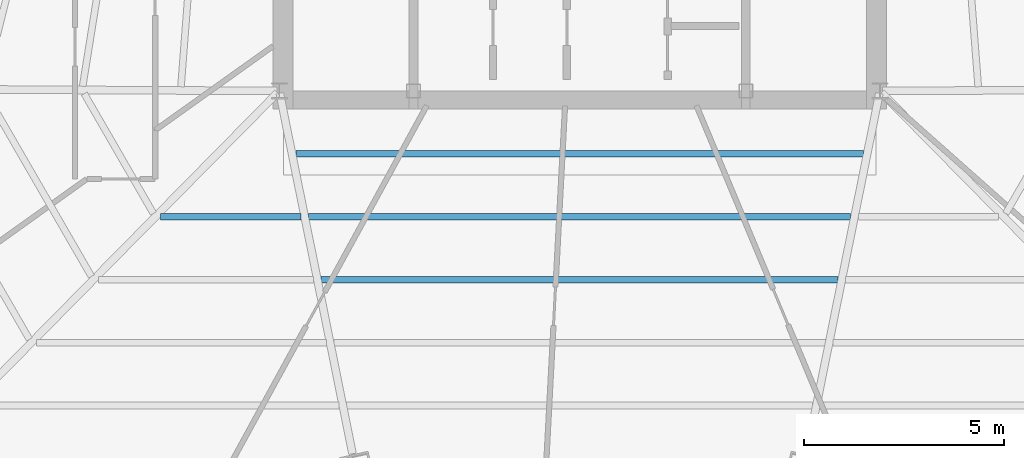
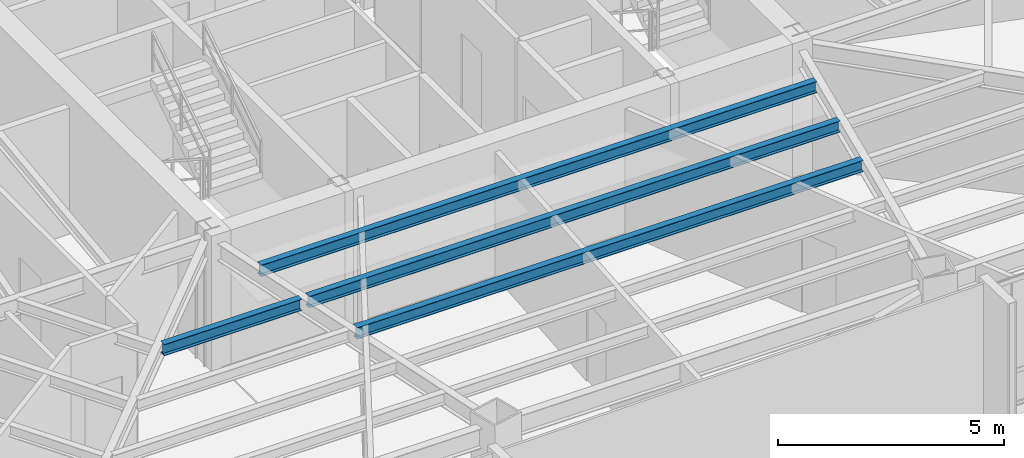
# One storey, part 12 of 42: 4 beams.
"""IFC4 building model written with IfcOpenShell, lengths in metres."""

from ifc_helpers import new_model, si_unit, direction, frame, origin, origin_2d, place, context, subcontext, project, spatial, i_section, extrude, source, transform, mapped, material, material_profile, profile_set, type_object, type_shapes, element, save


model = new_model("IFC4")

# Units and contexts
model_context = context("Model", 3, precision=1e-05, world=origin(), true_north=direction((0.0, 1.0)))
body_context = subcontext(model_context, "Body", "Model", "MODEL_VIEW")
ifc_project = project(units=[si_unit("LENGTHUNIT", "METRE"), si_unit("AREAUNIT", "SQUARE_METRE"), si_unit("VOLUMEUNIT", "CUBIC_METRE"), si_unit("PLANEANGLEUNIT", "RADIAN"), si_unit("MASSUNIT", "GRAM", prefix="KILO")], contexts=[model_context])

# Site, building, storey
site_placement = place(None, origin())
site = spatial("IfcSite", under=ifc_project, at=site_placement, CompositionType="ELEMENT")
building_placement = place(site_placement, origin())
building = spatial("IfcBuilding", under=site, at=building_placement, Name="Caelisora Broadcast Tower", CompositionType="ELEMENT")
storey_placement = place(building_placement, frame((0.0, 0.0, 184.050048828125)))
storey = spatial("IfcBuildingStorey", under=building, at=storey_placement, Name="L48", CompositionType="ELEMENT", Elevation=184.050048828125)

# Beams
ifc_material = material(Name="Steel Grade 350 (AS/NZS 3679.1)", Category="steel")
ifc_material_profile = material_profile(ifc_material, i_section(OverallWidth=0.166015625, OverallDepth=0.30712890625, WebThickness=0.006591796875, FlangeThickness=0.01171875, at=origin_2d()), Name="Steel Grade 350 (AS/NZS 3679.1)")
ifc_profile_set = profile_set([ifc_material_profile], Name="Steel Grade 350 (AS/NZS 3679.1)")
beam_type = type_object("IfcBeamType", Name="SB03", PredefinedType="JOIST", material=ifc_profile_set)
shared_shape_1 = source(origin(), body_context, "Body", "SweptSolid", [
    extrude(i_section(OverallWidth=0.166015625, OverallDepth=0.30712890625, WebThickness=0.006591796875, FlangeThickness=0.01171875, at=origin_2d()), origin(), (0.0, 0.0, 1.0), 3.50537109375),
])
beam_1_placement = place(storey_placement, frame((27.534912109375, 14.257080078125, 3.246337890625), z_axis=(1.0, 0.0, 0.0), x_axis=(0.0, 1.0, 0.0)))
element("IfcBeam", 1, at=beam_1_placement, inside=storey, type_object=beam_type, Name="L48 beam SB03", PredefinedType="JOIST", context=body_context, shape_type="MappedRepresentation", body=[
    mapped(shared_shape_1, transform((0.0, 0.0, 0.0), scale=1.0)),
])
shared_shape_2 = source(origin(), body_context, "Body", "SweptSolid", [
    extrude(i_section(OverallWidth=0.166015625, OverallDepth=0.30712890625, WebThickness=0.006591796875, FlangeThickness=0.01171875, at=origin_2d()), origin(), (0.0, 0.0, 1.0), 14.1767578125),
])
beam_2_placement = place(storey_placement, frame((30.91162109375, 15.82861328125, 3.246337890625), z_axis=(1.0, 0.0, 0.0), x_axis=(0.0, 1.0, 0.0)))
element("IfcBeam", 2, at=beam_2_placement, inside=storey, type_object=beam_type, Name="L48 beam SB03", PredefinedType="JOIST", context=body_context, shape_type="MappedRepresentation", body=[
    mapped(shared_shape_2, transform((0.0, 0.0, 0.0), scale=1.0)),
])
shared_shape_3 = source(origin(), body_context, "Body", "SweptSolid", [
    extrude(i_section(OverallWidth=0.166015625, OverallDepth=0.30712890625, WebThickness=0.006591796875, FlangeThickness=0.01171875, at=origin_2d()), origin(), (0.0, 0.0, 1.0), 13.5419921875),
])
beam_3_placement = place(storey_placement, frame((31.22900390625, 14.257080078125, 3.246337890625), z_axis=(1.0, 0.0, 0.0), x_axis=(0.0, 1.0, 0.0)))
element("IfcBeam", 3, at=beam_3_placement, inside=storey, type_object=beam_type, Name="L48 beam SB03", PredefinedType="JOIST", context=body_context, shape_type="MappedRepresentation", body=[
    mapped(shared_shape_3, transform((0.0, 0.0, 0.0), scale=1.0)),
])
shared_shape_4 = source(origin(), body_context, "Body", "SweptSolid", [
    extrude(i_section(OverallWidth=0.166015625, OverallDepth=0.30712890625, WebThickness=0.006591796875, FlangeThickness=0.01171875, at=origin_2d()), origin(), (0.0, 0.0, 1.0), 12.9072265625),
])
type_shapes(beam_type, [shared_shape_1, shared_shape_2, shared_shape_3, shared_shape_4])
beam_4_placement = place(storey_placement, frame((31.54638671875, 12.685546875, 3.246337890625), z_axis=(1.0, 0.0, 0.0), x_axis=(0.0, 1.0, 0.0)))
element("IfcBeam", 4, at=beam_4_placement, inside=storey, type_object=beam_type, Name="L48 beam SB03", PredefinedType="JOIST", context=body_context, shape_type="MappedRepresentation", body=[
    mapped(shared_shape_4, transform((0.0, 0.0, 0.0), scale=1.0)),
])

save(model, "model.ifc")
